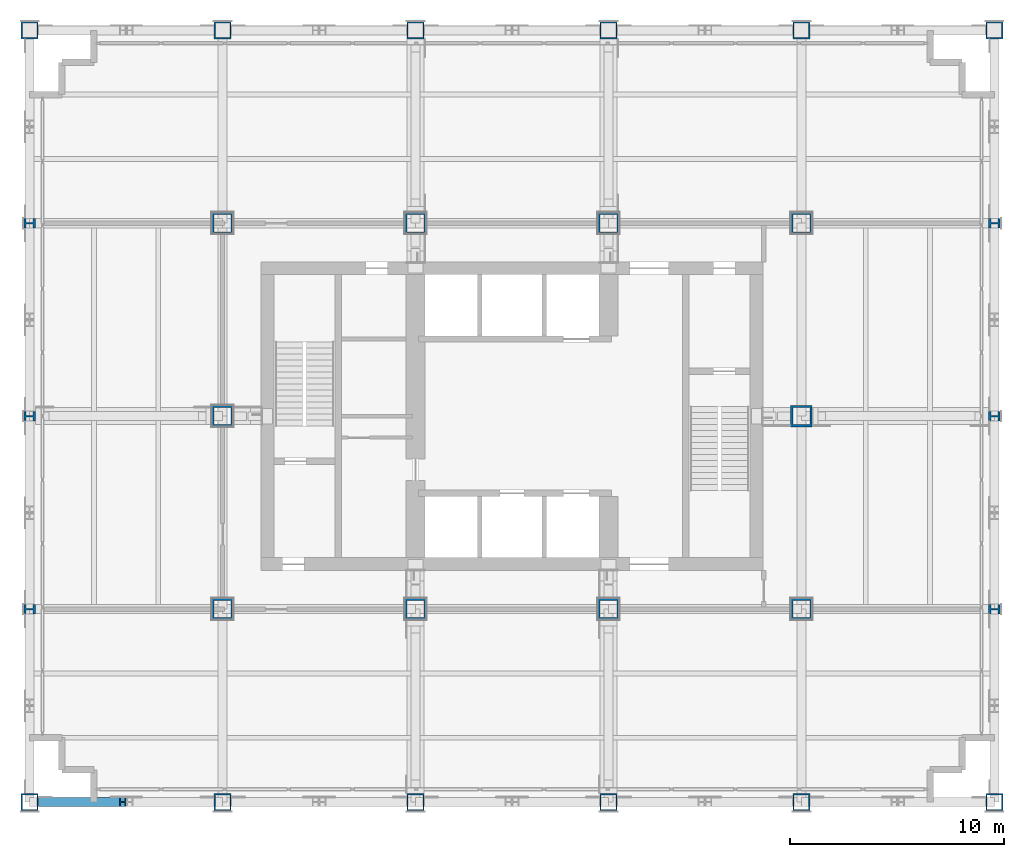
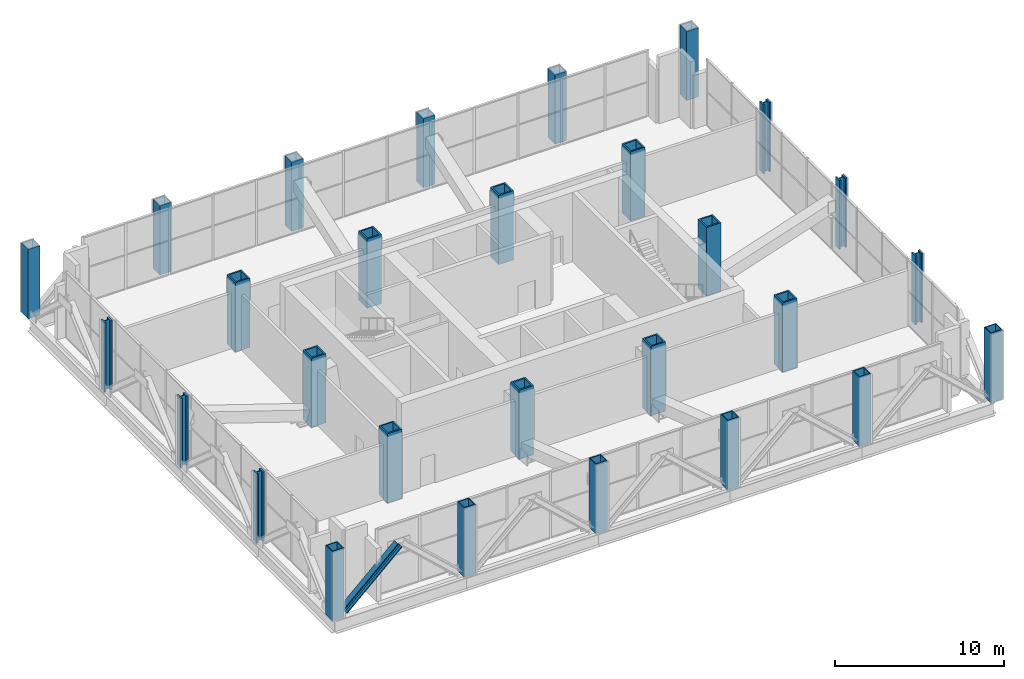
# One storey, part 1 of 16: 28 columns, 1 member.
"""IFC4 building model written with IfcOpenShell, lengths in metres."""

import ifcopenshell
import ifcopenshell.guid

model = None  # the IFC model being written
_history = None  # IfcOwnerHistory: only IFC2X3 demands one
_inside = {}  # id of a spatial element -> (the spatial element, [elements in it])
_under = {}  # id of a project, library or spatial element -> (it, [spatial elements below it])
_declared = {}  # id of a project -> (the project, [libraries it declares])
_typed = {}  # id of a type object -> (the type object, [elements of that type])
_made_of = {}  # id of a material, layer set ... -> (it, [elements and type objects made of it])


def new_model(schema):
    """Start an empty IFC model of exactly this schema.

    Asked for "IFC4X3", IfcOpenShell would pick the latest addendum, in which some entities
    have other attributes; the version numbers below select the first issue.
    IFC2X3 requires an IfcOwnerHistory on every rooted entity: one is made here for all.
    """
    global model, _history
    if schema == "IFC4X3":
        model = ifcopenshell.file(schema_version=(4, 3, 0, 0))
    else:
        model = ifcopenshell.file(schema=schema)
    _inside.clear()
    _under.clear()
    _declared.clear()
    _typed.clear()
    _made_of.clear()
    _history = None
    if model.schema == "IFC2X3":
        org = make("IfcOrganization", Name="unknown")
        user = make(
            "IfcPersonAndOrganization",
            ThePerson=make("IfcPerson", FamilyName="unknown"),
            TheOrganization=org,
        )
        app = make(
            "IfcApplication",
            ApplicationDeveloper=org,
            Version="unknown",
            ApplicationFullName="unknown",
            ApplicationIdentifier="unknown",
        )
        _history = make(
            "IfcOwnerHistory",
            OwningUser=user,
            OwningApplication=app,
            ChangeAction="ADDED",
            CreationDate=0,
        )
    return model


def make(cls, **values):
    """One entity of the class cls with the attributes given. An attribute that is None is left unset."""
    return model.create_entity(
        cls, **{name: value for name, value in values.items() if value is not None}
    )


def rooted(cls, **values):
    """An entity with a GlobalId (a new one), such as an element, a storey or a relation."""
    return make(cls, GlobalId=ifcopenshell.guid.new(), OwnerHistory=_history, **values)


def si_unit(unit_type, name, prefix=None):
    """IfcSIUnit, for example si_unit("LENGTHUNIT", "METRE", prefix="MILLI")."""
    return make("IfcSIUnit", UnitType=unit_type, Prefix=prefix, Name=name)


def assignment(units):
    """IfcUnitAssignment: the units of a project."""
    return None if units is None else make("IfcUnitAssignment", Units=units)


def point(xyz):
    """IfcCartesianPoint."""
    return None if xyz is None else make("IfcCartesianPoint", Coordinates=xyz)


def direction(xyz):
    """IfcDirection."""
    return None if xyz is None else make("IfcDirection", DirectionRatios=xyz)


def frame(location, z_axis=None, x_axis=None):
    """IfcAxis2Placement3D, a coordinate frame: its origin and axes. An axis left out is left unset."""
    return make(
        "IfcAxis2Placement3D",
        Location=point(location),
        Axis=direction(z_axis),
        RefDirection=direction(x_axis),
    )


def frame_2d(location, x_axis=None):
    """IfcAxis2Placement2D, a coordinate frame in the plane: its origin and x axis."""
    return make(
        "IfcAxis2Placement2D", Location=point(location), RefDirection=direction(x_axis)
    )


def origin():
    """The frame at (0, 0, 0) with its axes left unset."""
    return frame((0.0, 0.0, 0.0))


def origin_2d():
    """The frame at (0, 0) in the plane with its x axis left unset."""
    return frame_2d((0.0, 0.0))


def place(relative_to, where):
    """IfcLocalPlacement: puts the frame where relative to a parent placement (None: the world)."""
    return make(
        "IfcLocalPlacement", PlacementRelTo=relative_to, RelativePlacement=where
    )


def context(
    kind, dimensions, precision=None, world=None, true_north=None, identifier=None
):
    """IfcGeometricRepresentationContext, for example the 3D "Model" context."""
    return make(
        "IfcGeometricRepresentationContext",
        ContextIdentifier=identifier,
        ContextType=kind,
        CoordinateSpaceDimension=dimensions,
        Precision=precision,
        WorldCoordinateSystem=world,
        TrueNorth=true_north,
    )


def subcontext(parent, identifier, kind, view, scale=None):
    """IfcGeometricRepresentationSubContext, for example "Body" below "Model"."""
    return make(
        "IfcGeometricRepresentationSubContext",
        ContextIdentifier=identifier,
        ContextType=kind,
        ParentContext=parent,
        TargetScale=scale,
        TargetView=view,
    )


def project(units=None, contexts=None):
    """IfcProject with its units and contexts."""
    return rooted(
        "IfcProject",
        Name="project",
        RepresentationContexts=contexts,
        UnitsInContext=assignment(units),
    )


def spatial(cls, under=None, at=None, **own):
    """A site, building, storey or space (cls), placed at a placement, below another one or the project."""
    s = rooted(cls, ObjectPlacement=at, **own)
    if under is not None:
        _under.setdefault(under.id(), (under, []))[1].append(s)
    return s


def profile(cls, at=None, kind="AREA", **sizes):
    """A parametric profile (cls). Its sizes go by their IFC names, for example OverallWidth=200.0."""
    return make(cls, ProfileType=kind, Position=at, **sizes)


def hollow_rectangle(**sizes):
    """IfcRectangleHollowProfileDef."""
    return profile("IfcRectangleHollowProfileDef", **sizes)


def i_section(**sizes):
    """IfcIShapeProfileDef."""
    return profile("IfcIShapeProfileDef", **sizes)


def extrude(swept, where, along, depth):
    """IfcExtrudedAreaSolid: the profile swept, set in the frame where, extruded along a direction by depth."""
    return make(
        "IfcExtrudedAreaSolid",
        SweptArea=swept,
        Position=where,
        ExtrudedDirection=direction(along),
        Depth=depth,
    )


def shape(context_of_items, identifier, shape_type, items):
    """IfcShapeRepresentation: the items that make up one representation, for example the "Body"."""
    return make(
        "IfcShapeRepresentation",
        ContextOfItems=context_of_items,
        RepresentationIdentifier=identifier,
        RepresentationType=shape_type,
        Items=items,
    )


def material(Name=None, Category=None):
    """IfcMaterial."""
    return make("IfcMaterial", Name=Name, Category=Category)


def material_profile(
    of_material, cross_section, Name=None, Category=None, Priority=None
):
    """IfcMaterialProfile: a cross section and its material."""
    return make(
        "IfcMaterialProfile",
        Name=Name,
        Material=of_material,
        Profile=cross_section,
        Priority=Priority,
        Category=Category,
    )


def profile_set(profiles, Name=None, composite=None):
    """IfcMaterialProfileSet."""
    return make(
        "IfcMaterialProfileSet",
        Name=Name,
        MaterialProfiles=profiles,
        CompositeProfile=composite,
    )


def made_of(thing, what):
    """Note that an element or type object is made of a material, layer set ...; save() writes the relation."""
    if what is not None:
        _made_of.setdefault(what.id(), (what, []))[1].append(thing)
    return thing


def type_object(cls, material=None, **own):
    """A type object (cls), such as IfcWallType, which elements share."""
    return made_of(rooted(cls, **own), material)


def element(
    cls,
    number,
    at=None,
    inside=None,
    cuts=None,
    type_object=None,
    material=None,
    context=None,
    identifier="Body",
    shape_type=None,
    held_by="IfcProductDefinitionShape",
    body=None,
    shapes=None,
    **own,
):
    """One element of the class cls, such as IfcWall. Its Tag is "e" and its number.

    at: its placement. inside: the storey or other place that contains it. cuts: it is an
    opening in that element (IfcRelVoidsElement). A single representation is given by context,
    identifier, shape_type and body (its items); several are given by shapes. held_by: the class
    of the entity that holds the representations. save() writes the other relations.
    """
    e = rooted(cls, Tag="e%d" % number, ObjectPlacement=at, **own)
    if body is not None:
        shapes = [shape(context, identifier, shape_type, body)]
    if shapes is not None:
        e.Representation = make(held_by, Representations=shapes)
    if inside is not None:
        _inside.setdefault(inside.id(), (inside, []))[1].append(e)
    if cuts is not None:
        rooted(
            "IfcRelVoidsElement", RelatingBuildingElement=cuts, RelatedOpeningElement=e
        )
    if type_object is not None:
        _typed.setdefault(type_object.id(), (type_object, []))[1].append(e)
    return made_of(e, material)


def aggregate(whole, parts):
    """IfcRelAggregates: a whole, such as a stair, and the parts it consists of."""
    return rooted("IfcRelAggregates", RelatingObject=whole, RelatedObjects=parts)


def save(model, path):
    """Write the relations noted so far, then the file.

    IfcRelAggregates (storeys below a building ...), IfcRelContainedInSpatialStructure (elements
    in a storey), IfcRelDefinesByType, IfcRelAssociatesMaterial and IfcRelDeclares: one each for
    every whole, place, type object, material and project.
    """
    for whole, parts in _under.values():
        aggregate(whole, parts)
    for where, things in _inside.values():
        rooted(
            "IfcRelContainedInSpatialStructure",
            RelatedElements=things,
            RelatingStructure=where,
        )
    for kind, things in _typed.values():
        rooted("IfcRelDefinesByType", RelatedObjects=things, RelatingType=kind)
    for what, things in _made_of.values():
        rooted("IfcRelAssociatesMaterial", RelatedObjects=things, RelatingMaterial=what)
    for by, libraries in _declared.values():
        rooted("IfcRelDeclares", RelatingContext=by, RelatedDefinitions=libraries)
    model.write(path)


model = new_model("IFC4")

# Units and contexts
model_context = context("Model", 3, precision=1e-05, world=origin(), true_north=direction((0.0, 1.0)))
body_context = subcontext(model_context, "Body", "Model", "MODEL_VIEW")
ifc_project = project(units=[si_unit("LENGTHUNIT", "METRE"), si_unit("AREAUNIT", "SQUARE_METRE"), si_unit("VOLUMEUNIT", "CUBIC_METRE"), si_unit("PLANEANGLEUNIT", "RADIAN"), si_unit("MASSUNIT", "GRAM", prefix="KILO")], contexts=[model_context])

# Site, building, storey
site_placement = place(None, origin())
site = spatial("IfcSite", under=ifc_project, at=site_placement, CompositionType="ELEMENT")
building_placement = place(site_placement, origin())
building = spatial("IfcBuilding", under=site, at=building_placement, Name="Loomwork Tower", CompositionType="ELEMENT")
storey_placement = place(building_placement, frame((0.0, 0.0, 155.39990234375)))
storey = spatial("IfcBuildingStorey", under=building, at=storey_placement, Name="L42", CompositionType="ELEMENT", Elevation=155.39990234375)

# Columns
ifc_material_1 = material(Name="Steel ASTM A572 Grade 50 plate", Category="steel")
ifc_material_profile_1 = material_profile(ifc_material_1, hollow_rectangle(XDim=0.800048828125, YDim=0.800048828125, WallThickness=0.06005859375, at=origin_2d()), Name="BOX800x60")
ifc_profile_set_1 = profile_set([ifc_material_profile_1], Name="Steel ASTM A572 Grade 50 plate")
column_type_1 = type_object("IfcColumnType", Name="EXOSKELETON PIER BOX800x60", PredefinedType="COLUMN", material=ifc_profile_set_1)
for number, where, z_axis, x_axis, name in (
    (1, (0.0, 0.0, 0.0), (0.0, 0.0, 1.0), (1.0, 0.0, 0.0), "Exoskeleton Pier D/2 L42"),
    (2, (0.0, 36.0, 0.0), (0.0, 0.0, 1.0), (1.0, 0.0, 0.0), "Exoskeleton Pier H/2 L42"),
    (3, (9.0, 0.0, 0.0), (0.0, 0.0, 1.0), (1.0, 0.0, 0.0), "Exoskeleton Pier D/3 L42"),
    (4, (9.0, 36.0, 0.0), (0.0, 0.0, 1.0), (1.0, 0.0, 0.0), "Exoskeleton Pier H/3 L42"),
    (5, (18.0, 0.0, 0.0), (0.0, 0.0, 1.0), (1.0, 0.0, 0.0), "Exoskeleton Pier D/4 L42"),
    (6, (18.0, 36.0, 0.0), (0.0, 0.0, 1.0), (1.0, 0.0, 0.0), "Exoskeleton Pier H/4 L42"),
    (7, (27.0, 0.0, 0.0), (0.0, 0.0, 1.0), (1.0, 0.0, 0.0), "Exoskeleton Pier D/5 L42"),
    (8, (27.0, 36.0, 0.0), (0.0, 0.0, 1.0), (1.0, 0.0, 0.0), "Exoskeleton Pier H/5 L42"),
    (9, (36.0, 0.0, 0.0), (0.0, 0.0, 1.0), (1.0, 0.0, 0.0), "Exoskeleton Pier D/6 L42"),
    (10, (36.0, 36.0, 0.0), (0.0, 0.0, 1.0), (1.0, 0.0, 0.0), "Exoskeleton Pier H/6 L42"),
    (11, (45.0, 0.0, 0.0), (0.0, 0.0, 1.0), (1.0, 0.0, 0.0), "Exoskeleton Pier D/7 L42"),
    (12, (45.0, 36.0, 0.0), (0.0, 0.0, 1.0), (1.0, 0.0, 0.0), "Exoskeleton Pier H/7 L42"),
):
    element("IfcColumn", number, at=place(storey_placement, frame(where, z_axis=z_axis, x_axis=x_axis)), inside=storey, type_object=column_type_1, Name=name, PredefinedType="COLUMN", context=body_context, shape_type="SweptSolid", body=[
        extrude(hollow_rectangle(XDim=0.800048828125, YDim=0.800048828125, WallThickness=0.06005859375, at=origin_2d()), origin(), (0.0, 0.0, 1.0), 5.0),
    ])
ifc_material_2 = material(Name="Steel ASTM A992", Category="steel")
ifc_material_profile_2 = material_profile(ifc_material_2, i_section(OverallWidth=0.44189453125, OverallDepth=0.53076171875, WebThickness=0.06591796875, FlangeThickness=0.105712890625, at=origin_2d()), Name="W14x605")
ifc_profile_set_2 = profile_set([ifc_material_profile_2], Name="Steel ASTM A992")
column_type_2 = type_object("IfcColumnType", Name="EXOSKELETON PIER W14x605", PredefinedType="COLUMN", material=ifc_profile_set_2)
for number, where, z_axis, x_axis, name in (
    (13, (0.0, 9.0, 0.0), (0.0, 0.0, 1.0), (0.0, 1.0, 0.0), "Exoskeleton Pier E/2 L42"),
    (14, (0.0, 18.0, 0.0), (0.0, 0.0, 1.0), (0.0, 1.0, 0.0), "Exoskeleton Pier F/2 L42"),
    (15, (0.0, 27.0, 0.0), (0.0, 0.0, 1.0), (0.0, 1.0, 0.0), "Exoskeleton Pier G/2 L42"),
    (16, (45.0, 9.0, 0.0), (0.0, 0.0, 1.0), (0.0, 1.0, 0.0), "Exoskeleton Pier E/7 L42"),
    (17, (45.0, 18.0, 0.0), (0.0, 0.0, 1.0), (0.0, 1.0, 0.0), "Exoskeleton Pier F/7 L42"),
    (18, (45.0, 27.0, 0.0), (0.0, 0.0, 1.0), (0.0, 1.0, 0.0), "Exoskeleton Pier G/7 L42"),
):
    element("IfcColumn", number, at=place(storey_placement, frame(where, z_axis=z_axis, x_axis=x_axis)), inside=storey, type_object=column_type_2, Name=name, PredefinedType="COLUMN", context=body_context, shape_type="SweptSolid", body=[
        extrude(i_section(OverallWidth=0.44189453125, OverallDepth=0.53076171875, WebThickness=0.06591796875, FlangeThickness=0.105712890625, at=origin_2d()), origin(), (0.0, 0.0, 1.0), 5.0),
    ])
ifc_material_3 = material(Name="Steel ASTM A572 Grade 50 plate", Category="steel")
ifc_material_profile_3 = material_profile(ifc_material_3, hollow_rectangle(XDim=1.0, YDim=1.0, WallThickness=0.10009765625, at=origin_2d()), Name="BOX1000x100")
ifc_profile_set_3 = profile_set([ifc_material_profile_3], Name="Steel ASTM A572 Grade 50 plate")
column_type_3 = type_object("IfcColumnType", Name="TOWER COLUMN BOX1000x100", PredefinedType="COLUMN", material=ifc_profile_set_3)
for number, where, z_axis, x_axis, name in (
    (19, (9.0, 9.0, 0.0), (0.0, 0.0, 1.0), (1.0, 0.0, 0.0), "Tower Column E/3 L42"),
    (20, (9.0, 18.0, 0.0), (0.0, 0.0, 1.0), (1.0, 0.0, 0.0), "Tower Column F/3 L42"),
    (21, (9.0, 27.0, 0.0), (0.0, 0.0, 1.0), (1.0, 0.0, 0.0), "Tower Column G/3 L42"),
    (22, (18.0, 9.0, 0.0), (0.0, 0.0, 1.0), (1.0, 0.0, 0.0), "Tower Column E/4 L42"),
    (23, (18.0, 27.0, 0.0), (0.0, 0.0, 1.0), (1.0, 0.0, 0.0), "Tower Column G/4 L42"),
    (24, (27.0, 9.0, 0.0), (0.0, 0.0, 1.0), (1.0, 0.0, 0.0), "Tower Column E/5 L42"),
    (25, (27.0, 27.0, 0.0), (0.0, 0.0, 1.0), (1.0, 0.0, 0.0), "Tower Column G/5 L42"),
    (26, (36.0, 9.0, 0.0), (0.0, 0.0, 1.0), (0.0, 1.0, 0.0), "Tower Column E/6 L42"),
    (27, (36.0, 18.0, 0.0), (0.0, 0.0, 1.0), (0.0, 1.0, 0.0), "Tower Column F/6 L42"),
    (28, (36.0, 27.0, 0.0), (0.0, 0.0, 1.0), (1.0, 0.0, 0.0), "Tower Column G/6 L42"),
):
    element("IfcColumn", number, at=place(storey_placement, frame(where, z_axis=z_axis, x_axis=x_axis)), inside=storey, type_object=column_type_3, Name=name, PredefinedType="COLUMN", context=body_context, shape_type="SweptSolid", body=[
        extrude(hollow_rectangle(XDim=1.0, YDim=1.0, WallThickness=0.10009765625, at=origin_2d()), origin(), (0.0, 0.0, 1.0), 5.0),
    ])

# Member
ifc_material_4 = material(Name="Steel ASTM A992", Category="steel")
ifc_material_profile_4 = material_profile(ifc_material_4, i_section(OverallWidth=0.419189453125, OverallDepth=0.45458984375, WebThickness=0.042236328125, FlangeThickness=0.067626953125, at=origin_2d()), Name="W14x370")
ifc_profile_set_4 = profile_set([ifc_material_profile_4], Name="Steel ASTM A992")
member_type = type_object("IfcMemberType", Name="BELT TRUSS DIAGONAL W14x370", PredefinedType="BRACE", material=ifc_profile_set_4)
member_placement = place(storey_placement, frame((0.564697265625, 0.0, 0.1767578125), z_axis=(0.733176969672, 0.0, 0.680037889491), x_axis=(0.0, 1.0, 0.0)))
element("IfcMember", 29, at=member_placement, inside=storey, type_object=member_type, Name="Belt truss diagonal D/2-D/3 L42", PredefinedType="BRACE", context=body_context, shape_type="SweptSolid", body=[
    extrude(i_section(OverallWidth=0.419189453125, OverallDepth=0.45458984375, WebThickness=0.042236328125, FlangeThickness=0.067626953125, at=origin_2d()), origin(), (0.0, 0.0, 1.0), 5.145751953125),
])

save(model, "model.ifc")
